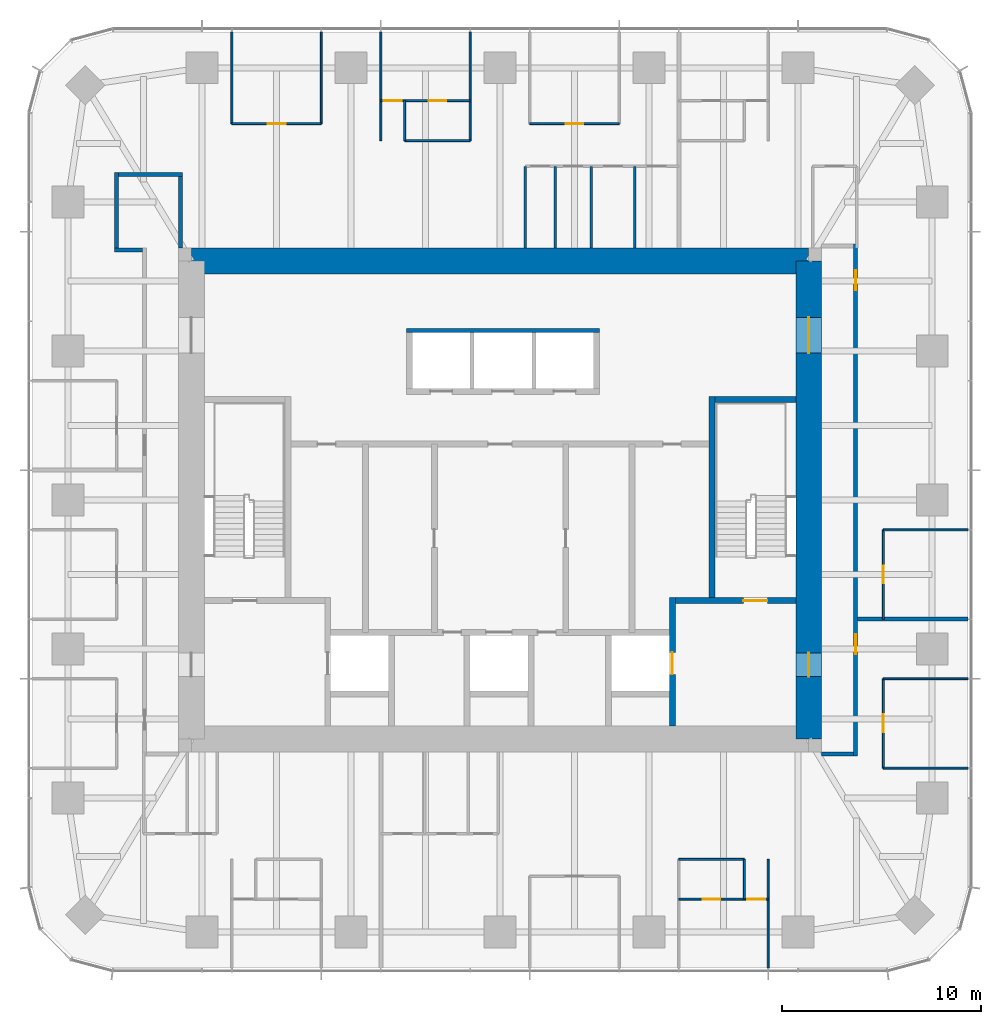
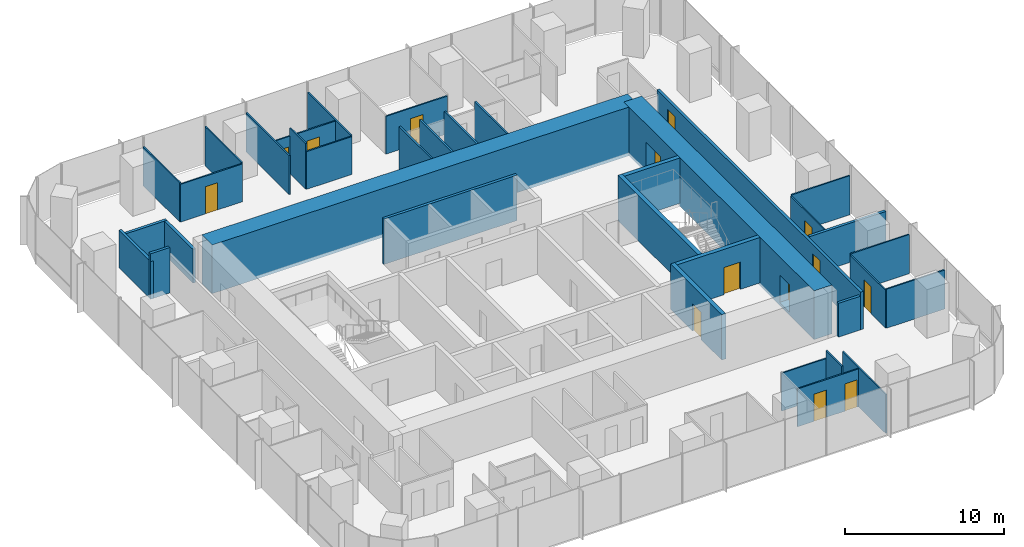
# One storey, part 10 of 12: 36 walls, 14 doors, 14 openings.
"""IFC4 building model written with IfcOpenShell, lengths in metres."""

from ifc_helpers import new_model, si_unit, direction, frame, frame_2d, origin, place, context, subcontext, project, spatial, rectangle, extrude, material, layer, layer_set, type_object, element, fill, save


model = new_model("IFC4")

# Units and contexts
model_context = context("Model", 3, precision=1e-05, world=origin(), true_north=direction((0.0, 1.0)))
body_context = subcontext(model_context, "Body", "Model", "MODEL_VIEW")
ifc_project = project(units=[si_unit("LENGTHUNIT", "METRE"), si_unit("AREAUNIT", "SQUARE_METRE"), si_unit("VOLUMEUNIT", "CUBIC_METRE"), si_unit("PLANEANGLEUNIT", "RADIAN"), si_unit("MASSUNIT", "GRAM", prefix="KILO")], contexts=[model_context])

# Site, building, storey
site_placement = place(None, origin())
site = spatial("IfcSite", under=ifc_project, at=site_placement, CompositionType="ELEMENT")
building_placement = place(site_placement, origin())
building = spatial("IfcBuilding", under=site, at=building_placement, Name="Khuree Lantern Residences", CompositionType="ELEMENT")
storey_placement = place(building_placement, frame((0.0, 0.0, 312.0)))
storey = spatial("IfcBuildingStorey", under=building, at=storey_placement, Name="L78", CompositionType="ELEMENT", Elevation=312.0)

# Walls
ifc_material_1 = material(Name="Moisture-resistant gypsum board on steel studs", Category="steel")
ifc_layer_1 = layer(ifc_material_1, 0.125)
ifc_layer_set_1 = layer_set([ifc_layer_1], Name="BATHROOM WALL BTW125")
wall_type_1 = type_object("IfcWallType", Name="BATHROOM WALL BTW125", PredefinedType="PARTITIONING", material=ifc_layer_set_1)
for number, where, z_axis, x_axis, name in (
    (1, (6.77587890625, 12.64990234375, 0.0), (0.0, 0.0, 1.0), (0.0, 1.0, 0.0), "L78 BATHROOM WALL 02"),
    (2, (4.575927734375, 12.64990234375, 0.0), (0.0, 0.0, 1.0), (0.0, 1.0, 0.0), "L78 BATHROOM WALL 02"),
    (3, (2.77587890625, 12.64990234375, 0.0), (0.0, 0.0, 1.0), (0.0, 1.0, 0.0), "L78 BATHROOM WALL 02"),
    (4, (1.27587890625, 12.64990234375, 0.0), (0.0, 0.0, 1.0), (0.0, 1.0, 0.0), "L78 BATHROOM WALL 02"),
):
    element("IfcWall", number, at=place(storey_placement, frame(where, z_axis=z_axis, x_axis=x_axis)), inside=storey, type_object=wall_type_1, Name=name, PredefinedType="PARTITIONING", context=body_context, shape_type="SweptSolid", body=[
        extrude(rectangle(XDim=4.096435546875, YDim=0.125, at=frame_2d((2.04833984375, 0.0))), origin(), (0.0, 0.0, 1.0), 3.5),
    ])

# Wall, opening, door
ifc_material_2 = material(Name="Dense concrete blockwork", Category="masonry")
ifc_layer_2 = layer(ifc_material_2, 0.300048828125)
ifc_layer_set_2 = layer_set([ifc_layer_2], Name="CORE PARTITION WALL CPW300 EI 120")
wall_type_2 = type_object("IfcWallType", Name="CORE PARTITION WALL CPW300 EI 120", PredefinedType="PARTITIONING", material=ifc_layer_set_2)
wall_1_placement = place(storey_placement, frame((8.64990234375, -11.35009765625, 0.0), z_axis=(0.0, 0.0, 1.0), x_axis=(0.0, 1.0, 0.0)))
wall_1 = element("IfcWall", 5, at=wall_1_placement, inside=storey, type_object=wall_type_2, Name="L78 CORE WALL FL2E", PredefinedType="PARTITIONING", context=body_context, shape_type="SweptSolid", body=[
    extrude(rectangle(XDim=6.4501953125, YDim=0.300048828125, at=frame_2d((3.22509765625, 0.0))), origin(), (0.0, 0.0, 1.0), 3.5),
])
opening_1_placement = place(wall_1_placement, frame((2.60009765625, 0.0, 0.0)))
opening_1 = element("IfcOpeningElement", 6, at=opening_1_placement, cuts=wall_1, Name="Opening 78-008", PredefinedType="OPENING", context=body_context, shape_type="SweptSolid", body=[
    extrude(rectangle(XDim=1.10009765625, YDim=2.10009765625, at=frame_2d((0.550048828125, 1.050048828125))), frame((0.0, 0.16015625, 0.0), z_axis=(0.0, -1.0, 0.0), x_axis=(1.0, 0.0, 0.0)), (0.0, 0.0, 1.0), 0.320068359375),
])
ifc_material_3 = material(Name="Stainless steel lift landing door", Category="steel")
door_type_1 = type_object("IfcDoorType", Name="LIFT LANDING DOOR 1100X2100 E 120", OperationType="DOUBLE_DOOR_SLIDING", PredefinedType="DOOR", material=ifc_material_3)
door_1_placement = place(opening_1_placement, origin())
door_1 = element("IfcDoor", 7, at=door_1_placement, inside=storey, type_object=door_type_1, Name="Landing door FL2 78-008", OperationType="DOUBLE_DOOR_SLIDING", OverallHeight=2.10009765625, OverallWidth=1.10009765625, PredefinedType="DOOR", context=body_context, shape_type="SweptSolid", body=[
    extrude(rectangle(XDim=1.10009765625, YDim=2.10009765625, at=frame_2d((0.550048828125, 1.050048828125))), frame((0.0, 0.02490234375, 0.0), z_axis=(0.0, -1.0, 0.0), x_axis=(1.0, 0.0, 0.0)), (0.0, 0.0, 1.0), 0.050048828125),
])
fill(opening_1, door_1)

# Walls
ifc_material_4 = material(Name="Gypsum board on steel studs", Category="steel")
ifc_layer_3 = layer(ifc_material_4, 0.199951171875)
ifc_layer_set_3 = layer_set([ifc_layer_3], Name="CORRIDOR WALL CRW200 EI 60")
wall_type_3 = type_object("IfcWallType", Name="CORRIDOR WALL CRW200 EI 60", PredefinedType="PARTITIONING", material=ifc_layer_set_3)
wall_2_placement = place(storey_placement, frame((-17.949951171875, 12.550048828125, 0.0), z_axis=(0.0, 0.0, 1.0), x_axis=(-1.0, 0.0, 0.0)))
element("IfcWall", 8, at=wall_2_placement, inside=storey, type_object=wall_type_3, Name="L78 RESIDENTS LOUNGE WALL", PredefinedType="PARTITIONING", context=body_context, shape_type="SweptSolid", body=[
    extrude(rectangle(XDim=1.400146484375, YDim=0.199951171875, at=frame_2d((0.7001953125, 0.0))), origin(), (0.0, 0.0, 1.0), 3.5),
])
wall_3_placement = place(storey_placement, frame((-19.25, 12.449951171875, 0.0), z_axis=(0.0, 0.0, 1.0), x_axis=(0.0, 1.0, 0.0)))
element("IfcWall", 9, at=wall_3_placement, inside=storey, type_object=wall_type_3, Name="L78 RESIDENTS LOUNGE WALL", PredefinedType="PARTITIONING", context=body_context, shape_type="SweptSolid", body=[
    extrude(rectangle(XDim=4.0, YDim=0.199951171875, at=frame_2d((2.0, 0.0))), origin(), (0.0, 0.0, 1.0), 2.89990234375),
])
wall_4_placement = place(storey_placement, frame((-19.14990234375, 16.35009765625, 0.0), z_axis=(0.0, 0.0, 1.0), x_axis=(1.0, 0.0, 0.0)))
element("IfcWall", 10, at=wall_4_placement, inside=storey, type_object=wall_type_3, Name="L78 RESIDENTS LOUNGE WALL", PredefinedType="PARTITIONING", context=body_context, shape_type="SweptSolid", body=[
    extrude(rectangle(XDim=3.199951171875, YDim=0.199951171875, at=frame_2d((1.60009765625, 0.0))), origin(), (0.0, 0.0, 1.0), 2.60009765625),
])
wall_5_placement = place(storey_placement, frame((-16.050048828125, 16.449951171875, 0.0), z_axis=(0.0, 0.0, 1.0), x_axis=(0.0, -1.0, 0.0)))
element("IfcWall", 11, at=wall_5_placement, inside=storey, type_object=wall_type_3, Name="L78 RESIDENTS LOUNGE WALL", PredefinedType="PARTITIONING", context=body_context, shape_type="SweptSolid", body=[
    extrude(rectangle(XDim=3.800048828125, YDim=0.199951171875, at=frame_2d((1.89990234375, 0.0))), origin(), (0.0, 0.0, 1.0), 2.60009765625),
])
wall_6_placement = place(storey_placement, frame((16.14990234375, -12.75, 0.0), z_axis=(0.0, 0.0, 1.0), x_axis=(1.0, 0.0, 0.0)))
element("IfcWall", 12, at=wall_6_placement, inside=storey, type_object=wall_type_3, Name="L78 EAST CORRIDOR SOUTH END WALL", PredefinedType="PARTITIONING", context=body_context, shape_type="SweptSolid", body=[
    extrude(rectangle(XDim=1.60009765625, YDim=0.199951171875, at=frame_2d((0.800048828125, 0.0))), origin(), (0.0, 0.0, 1.0), 2.60009765625),
])

# Wall, openings, doors
wall_7_placement = place(storey_placement, frame((17.85009765625, -12.85009765625, 0.0), z_axis=(0.0, 0.0, 1.0), x_axis=(0.0, 1.0, 0.0)))
wall_7 = element("IfcWall", 13, at=wall_7_placement, inside=storey, type_object=wall_type_3, Name="L78 CORRIDOR WALL EAST 1", PredefinedType="PARTITIONING", context=body_context, shape_type="SweptSolid", body=[
    extrude(rectangle(XDim=25.7001953125, YDim=0.199951171875, at=frame_2d((12.85009765625, 0.0))), origin(), (0.0, 0.0, 1.0), 2.89990234375),
])
opening_2_placement = place(wall_7_placement, frame((23.385986328125, 0.0, 0.0)))
opening_2 = element("IfcOpeningElement", 14, at=opening_2_placement, cuts=wall_7, Name="Opening 78-024", PredefinedType="OPENING", context=body_context, shape_type="SweptSolid", body=[
    extrude(rectangle(XDim=1.0, YDim=2.199951171875, at=frame_2d((0.5, 1.10009765625))), frame((0.0, 0.10986328125, 0.0), z_axis=(0.0, -1.0, 0.0), x_axis=(1.0, 0.0, 0.0)), (0.0, 0.0, 1.0), 0.219970703125),
])
opening_3_placement = place(wall_7_placement, frame((5.10009765625, 0.0, 0.0)))
opening_3 = element("IfcOpeningElement", 15, at=opening_3_placement, cuts=wall_7, Name="Opening 78-049", PredefinedType="OPENING", context=body_context, shape_type="SweptSolid", body=[
    extrude(rectangle(XDim=1.0, YDim=2.199951171875, at=frame_2d((0.5, 1.10009765625))), frame((0.0, 0.10986328125, 0.0), z_axis=(0.0, -1.0, 0.0), x_axis=(1.0, 0.0, 0.0)), (0.0, 0.0, 1.0), 0.219970703125),
])
ifc_material_5 = material(Name="Timber door leaf in hardwood frame", Category="wood")
door_type_2 = type_object("IfcDoorType", Name="APARTMENT ENTRANCE DOOR 1000X2200 EI 30S", OperationType="SINGLE_SWING_LEFT", PredefinedType="DOOR", material=ifc_material_5)
door_2_placement = place(opening_3_placement, origin())
door_2 = element("IfcDoor", 16, at=door_2_placement, inside=storey, type_object=door_type_2, Name="Apartment 04 entrance door 78-049", OperationType="SINGLE_SWING_LEFT", OverallHeight=2.199951171875, OverallWidth=1.0, PredefinedType="DOOR", context=body_context, shape_type="SweptSolid", body=[
    extrude(rectangle(XDim=1.0, YDim=2.199951171875, at=frame_2d((0.5, 1.10009765625))), frame((0.0, 0.02490234375, 0.0), z_axis=(0.0, -1.0, 0.0), x_axis=(1.0, 0.0, 0.0)), (0.0, 0.0, 1.0), 0.050048828125),
])
fill(opening_3, door_2)
door_type_3 = type_object("IfcDoorType", Name="APARTMENT ENTRANCE DOOR 1000X2200 EI 30S RIGHT HAND", OperationType="SINGLE_SWING_RIGHT", PredefinedType="DOOR", material=ifc_material_5)
door_3_placement = place(opening_2_placement, origin())
door_3 = element("IfcDoor", 17, at=door_3_placement, inside=storey, type_object=door_type_3, Name="Apartment 01 entrance door 78-024", OperationType="SINGLE_SWING_RIGHT", OverallHeight=2.199951171875, OverallWidth=1.0, PredefinedType="DOOR", context=body_context, shape_type="SweptSolid", body=[
    extrude(rectangle(XDim=1.0, YDim=2.199951171875, at=frame_2d((0.5, 1.10009765625))), frame((0.0, 0.02490234375, 0.0), z_axis=(0.0, -1.0, 0.0), x_axis=(1.0, 0.0, 0.0)), (0.0, 0.0, 1.0), 0.050048828125),
])
fill(opening_2, door_3)

ifc_material_6 = material(Name="Concrete C50/60", Category="concrete")
ifc_layer_4 = layer(ifc_material_6, 1.300048828125)
ifc_layer_set_4 = layer_set([ifc_layer_4], Name="CW1300-C50 CORE WALL C50 1300")
wall_type_4 = type_object("IfcWallType", Name="CW1300-C50 CORE WALL C50 1300", PredefinedType="SHEAR", material=ifc_layer_set_4)
wall_8_placement = place(storey_placement, frame((15.5, -12.0, -0.25), z_axis=(0.0, 0.0, 1.0), x_axis=(0.0, 1.0, 0.0)))
wall_8 = element("IfcWall", 18, at=wall_8_placement, inside=storey, type_object=wall_type_4, Name="Core wall E", PredefinedType="SHEAR", context=body_context, shape_type="SweptSolid", body=[
    extrude(rectangle(XDim=24.0, YDim=1.300048828125, at=frame_2d((12.0, 0.0))), origin(), (0.0, 0.0, 1.0), 3.75),
])
opening_4_placement = place(wall_8_placement, frame((3.125, 0.0, 0.25)))
opening_4 = element("IfcOpeningElement", 19, at=opening_4_placement, cuts=wall_8, Name="Opening 78-005", PredefinedType="OPENING", context=body_context, shape_type="SweptSolid", body=[
    extrude(rectangle(XDim=1.199951171875, YDim=2.10009765625, at=frame_2d((0.60009765625, 1.050048828125))), frame((0.0, 0.66015625, 0.0), z_axis=(0.0, -1.0, 0.0), x_axis=(1.0, 0.0, 0.0)), (0.0, 0.0, 1.0), 1.320068359375),
])
opening_5_placement = place(wall_8_placement, frame((19.375, 0.0, 0.25)))
opening_5 = element("IfcOpeningElement", 20, at=opening_5_placement, cuts=wall_8, Name="Opening 78-006", PredefinedType="OPENING", context=body_context, shape_type="SweptSolid", body=[
    extrude(rectangle(XDim=1.800048828125, YDim=2.10009765625, at=frame_2d((0.89990234375, 1.050048828125))), frame((0.0, 0.66015625, 0.0), z_axis=(0.0, -1.0, 0.0), x_axis=(1.0, 0.0, 0.0)), (0.0, 0.0, 1.0), 1.320068359375),
])
ifc_material_7 = material(Name="Steel door leaf in steel frame", Category="steel")
door_type_4 = type_object("IfcDoorType", Name="LOBBY DOOR 1200X2100 EI 120", OperationType="SINGLE_SWING_LEFT", PredefinedType="DOOR", material=ifc_material_7)
door_4_placement = place(opening_4_placement, origin())
door_4 = element("IfcDoor", 21, at=door_4_placement, inside=storey, type_object=door_type_4, Name="Firefighting lobby door 78-005", OperationType="SINGLE_SWING_LEFT", OverallHeight=2.10009765625, OverallWidth=1.199951171875, PredefinedType="DOOR", context=body_context, shape_type="SweptSolid", body=[
    extrude(rectangle(XDim=1.199951171875, YDim=2.10009765625, at=frame_2d((0.60009765625, 1.050048828125))), frame((0.0, 0.02490234375, 0.0), z_axis=(0.0, -1.0, 0.0), x_axis=(1.0, 0.0, 0.0)), (0.0, 0.0, 1.0), 0.050048828125),
])
fill(opening_4, door_4)
door_type_5 = type_object("IfcDoorType", Name="LOBBY DOUBLE DOOR 1800X2100 EI 60", OperationType="DOUBLE_DOOR_SINGLE_SWING", PredefinedType="DOOR", material=ifc_material_7)
door_5_placement = place(opening_5_placement, origin())
door_5 = element("IfcDoor", 22, at=door_5_placement, inside=storey, type_object=door_type_5, Name="Lift lobby door 78-006", OperationType="DOUBLE_DOOR_SINGLE_SWING", OverallHeight=2.10009765625, OverallWidth=1.800048828125, PredefinedType="DOOR", context=body_context, shape_type="SweptSolid", body=[
    extrude(rectangle(XDim=1.800048828125, YDim=2.10009765625, at=frame_2d((0.89990234375, 1.050048828125))), frame((0.0, 0.02490234375, 0.0), z_axis=(0.0, -1.0, 0.0), x_axis=(1.0, 0.0, 0.0)), (0.0, 0.0, 1.0), 0.050048828125),
])
fill(opening_5, door_5)

# Walls
wall_9_placement = place(storey_placement, frame((-15.5, 12.0, -0.25), z_axis=(0.0, 0.0, 1.0), x_axis=(1.0, 0.0, 0.0)))
element("IfcWall", 23, at=wall_9_placement, inside=storey, type_object=wall_type_4, Name="Core wall N", PredefinedType="SHEAR", context=body_context, shape_type="SweptSolid", body=[
    extrude(rectangle(XDim=31.0, YDim=1.300048828125, at=frame_2d((15.5, 0.0))), origin(), (0.0, 0.0, 1.0), 3.75),
])
ifc_layer_5 = layer(ifc_material_4, 0.199951171875)
ifc_layer_set_5 = layer_set([ifc_layer_5], Name="DEMISING WALL DMW200 EI 90")
wall_type_5 = type_object("IfcWallType", Name="DEMISING WALL DMW200 EI 90", PredefinedType="PARTITIONING", material=ifc_layer_set_5)
wall_10_placement = place(storey_placement, frame((17.949951171875, -5.98388671875, 0.0), z_axis=(0.0, 0.0, 1.0), x_axis=(1.0, 0.0, 0.0)))
element("IfcWall", 24, at=wall_10_placement, inside=storey, type_object=wall_type_5, Name="L78 DEMISING WALL 01", PredefinedType="PARTITIONING", context=body_context, shape_type="SweptSolid", body=[
    extrude(rectangle(XDim=5.550048828125, YDim=0.199951171875, at=frame_2d((2.77490234375, 0.0))), origin(), (0.0, 0.0, 1.0), 3.010009765625),
])
ifc_layer_6 = layer(ifc_material_4, 0.10009765625)
ifc_layer_set_6 = layer_set([ifc_layer_6], Name="PARTITION PT100")
wall_type_6 = type_object("IfcWallType", Name="PARTITION PT100", PredefinedType="PARTITIONING", material=ifc_layer_set_6)
wall_11_placement = place(storey_placement, frame((19.25, -1.49609375, 0.0), z_axis=(0.0, 0.0, 1.0), x_axis=(1.0, 0.0, 0.0)))
element("IfcWall", 25, at=wall_11_placement, inside=storey, type_object=wall_type_6, Name="L78 PARTITION 01", PredefinedType="PARTITIONING", context=body_context, shape_type="SweptSolid", body=[
    extrude(rectangle(XDim=4.25, YDim=0.10009765625, at=frame_2d((2.125, 0.0))), origin(), (0.0, 0.0, 1.0), 3.010009765625),
])
for number, where, z_axis, x_axis, name in (
    (26, (-1.49609375, 18.04638671875, 0.0), (0.0, 0.0, 1.0), (0.0, 1.0, 0.0), "L78 PARTITION 02"),
    (27, (-5.98388671875, 18.04638671875, 0.0), (0.0, 0.0, 1.0), (0.0, 1.0, 0.0), "L78 PARTITION 02"),
):
    element("IfcWall", number, at=place(storey_placement, frame(where, z_axis=z_axis, x_axis=x_axis)), inside=storey, type_object=wall_type_6, Name=name, PredefinedType="PARTITIONING", context=body_context, shape_type="SweptSolid", body=[
        extrude(rectangle(XDim=5.45361328125, YDim=0.10009765625, at=frame_2d((2.726806640625, 0.0))), origin(), (0.0, 0.0, 1.0), 3.010009765625),
    ])
for number, where, z_axis, x_axis, name in (
    (28, (-8.97607421875, 18.89990234375, 0.0), (0.0, 0.0, 1.0), (0.0, 1.0, 0.0), "L78 PARTITION 02"),
    (29, (-13.464111328125, 18.89990234375, 0.0), (0.0, 0.0, 1.0), (0.0, 1.0, 0.0), "L78 PARTITION 02"),
):
    element("IfcWall", number, at=place(storey_placement, frame(where, z_axis=z_axis, x_axis=x_axis)), inside=storey, type_object=wall_type_6, Name=name, PredefinedType="PARTITIONING", context=body_context, shape_type="SweptSolid", body=[
        extrude(rectangle(XDim=4.60009765625, YDim=0.10009765625, at=frame_2d((2.300048828125, 0.0))), origin(), (0.0, 0.0, 1.0), 3.010009765625),
    ])
wall_12_placement = place(storey_placement, frame((13.464111328125, -18.04638671875, 0.0), z_axis=(0.0, 0.0, 1.0), x_axis=(0.0, -1.0, 0.0)))
element("IfcWall", 30, at=wall_12_placement, inside=storey, type_object=wall_type_6, Name="L78 PARTITION 04", PredefinedType="PARTITIONING", context=body_context, shape_type="SweptSolid", body=[
    extrude(rectangle(XDim=5.45361328125, YDim=0.10009765625, at=frame_2d((2.726806640625, 0.0))), origin(), (0.0, 0.0, 1.0), 3.010009765625),
])
for number, where, z_axis, x_axis, name in (
    (31, (19.25, -13.464111328125, 0.0), (0.0, 0.0, 1.0), (1.0, 0.0, 0.0), "L78 PARTITION 04"),
    (32, (19.25, -8.97607421875, 0.0), (0.0, 0.0, 1.0), (1.0, 0.0, 0.0), "L78 PARTITION 04"),
):
    element("IfcWall", number, at=place(storey_placement, frame(where, z_axis=z_axis, x_axis=x_axis)), inside=storey, type_object=wall_type_6, Name=name, PredefinedType="PARTITIONING", context=body_context, shape_type="SweptSolid", body=[
        extrude(rectangle(XDim=4.25, YDim=0.10009765625, at=frame_2d((2.125, 0.0))), origin(), (0.0, 0.0, 1.0), 3.010009765625),
    ])

# Wall, opening, door
wall_13_placement = place(storey_placement, frame((19.25, -5.98388671875, 0.0), z_axis=(0.0, 0.0, 1.0), x_axis=(0.0, 1.0, 0.0)))
wall_13 = element("IfcWall", 33, at=wall_13_placement, inside=storey, type_object=wall_type_6, Name="L78 PARTITION 01", PredefinedType="PARTITIONING", context=body_context, shape_type="SweptSolid", body=[
    extrude(rectangle(XDim=4.48779296875, YDim=0.10009765625, at=frame_2d((2.243896484375, 0.0))), origin(), (0.0, 0.0, 1.0), 2.909912109375),
])
opening_6_placement = place(wall_13_placement, frame((1.7939453125, 0.0, 0.0)))
opening_6 = element("IfcOpeningElement", 34, at=opening_6_placement, cuts=wall_13, Name="Opening 78-020", PredefinedType="OPENING", context=body_context, shape_type="SweptSolid", body=[
    extrude(rectangle(XDim=0.89990234375, YDim=2.10009765625, at=frame_2d((0.449951171875, 1.050048828125))), frame((0.0, 0.06005859375, 0.0), z_axis=(0.0, -1.0, 0.0), x_axis=(1.0, 0.0, 0.0)), (0.0, 0.0, 1.0), 0.1201171875),
])
door_type_6 = type_object("IfcDoorType", Name="BEDROOM DOOR 900X2100", OperationType="SINGLE_SWING_LEFT", PredefinedType="DOOR", material=ifc_material_5)
door_6_placement = place(opening_6_placement, origin())
door_6 = element("IfcDoor", 35, at=door_6_placement, inside=storey, type_object=door_type_6, Name="Bedroom door 78-020", OperationType="SINGLE_SWING_LEFT", OverallHeight=2.10009765625, OverallWidth=0.89990234375, PredefinedType="DOOR", context=body_context, shape_type="SweptSolid", body=[
    extrude(rectangle(XDim=0.89990234375, YDim=2.10009765625, at=frame_2d((0.449951171875, 1.050048828125))), frame((0.0, 0.02490234375, 0.0), z_axis=(0.0, -1.0, 0.0), x_axis=(1.0, 0.0, 0.0)), (0.0, 0.0, 1.0), 0.050048828125),
])
fill(opening_6, door_6)

wall_14_placement = place(storey_placement, frame((5.98388671875, 18.89990234375, 0.0), z_axis=(0.0, 0.0, 1.0), x_axis=(-1.0, 0.0, 0.0)))
wall_14 = element("IfcWall", 36, at=wall_14_placement, inside=storey, type_object=wall_type_6, Name="L78 PARTITION 02", PredefinedType="PARTITIONING", context=body_context, shape_type="SweptSolid", body=[
    extrude(rectangle(XDim=4.48779296875, YDim=0.10009765625, at=frame_2d((2.243896484375, 0.0))), origin(), (0.0, 0.0, 1.0), 2.909912109375),
])
opening_7_placement = place(wall_14_placement, frame((1.7939453125, 0.0, 0.0)))
opening_7 = element("IfcOpeningElement", 37, at=opening_7_placement, cuts=wall_14, Name="Opening 78-025", PredefinedType="OPENING", context=body_context, shape_type="SweptSolid", body=[
    extrude(rectangle(XDim=0.89990234375, YDim=2.10009765625, at=frame_2d((0.449951171875, 1.050048828125))), frame((0.0, 0.06005859375, 0.0), z_axis=(0.0, -1.0, 0.0), x_axis=(1.0, 0.0, 0.0)), (0.0, 0.0, 1.0), 0.1201171875),
])
door_7_placement = place(opening_7_placement, origin())
door_7 = element("IfcDoor", 38, at=door_7_placement, inside=storey, type_object=door_type_6, Name="Bedroom door 78-025", OperationType="SINGLE_SWING_LEFT", OverallHeight=2.10009765625, OverallWidth=0.89990234375, PredefinedType="DOOR", context=body_context, shape_type="SweptSolid", body=[
    extrude(rectangle(XDim=0.89990234375, YDim=2.10009765625, at=frame_2d((0.449951171875, 1.050048828125))), frame((0.0, 0.02490234375, 0.0), z_axis=(0.0, -1.0, 0.0), x_axis=(1.0, 0.0, 0.0)), (0.0, 0.0, 1.0), 0.050048828125),
])
fill(opening_7, door_7)

# Wall, openings, doors
wall_15_placement = place(storey_placement, frame((-1.49609375, 20.04638671875, 0.0), z_axis=(0.0, 0.0, 1.0), x_axis=(-1.0, 0.0, 0.0)))
wall_15 = element("IfcWall", 39, at=wall_15_placement, inside=storey, type_object=wall_type_6, Name="L78 PARTITION 02", PredefinedType="PARTITIONING", context=body_context, shape_type="SweptSolid", body=[
    extrude(rectangle(XDim=4.48779296875, YDim=0.10009765625, at=frame_2d((2.243896484375, 0.0))), origin(), (0.0, 0.0, 1.0), 2.909912109375),
])
opening_8_placement = place(wall_15_placement, frame((3.43798828125, 0.0, 0.0)))
opening_8 = element("IfcOpeningElement", 40, at=opening_8_placement, cuts=wall_15, Name="Opening 78-026", PredefinedType="OPENING", context=body_context, shape_type="SweptSolid", body=[
    extrude(rectangle(XDim=0.89990234375, YDim=2.10009765625, at=frame_2d((0.449951171875, 1.050048828125))), frame((0.0, 0.06005859375, 0.0), z_axis=(0.0, -1.0, 0.0), x_axis=(1.0, 0.0, 0.0)), (0.0, 0.0, 1.0), 0.1201171875),
])
opening_9_placement = place(wall_15_placement, frame((1.194091796875, 0.0, 0.0)))
opening_9 = element("IfcOpeningElement", 41, at=opening_9_placement, cuts=wall_15, Name="Opening 78-027", PredefinedType="OPENING", context=body_context, shape_type="SweptSolid", body=[
    extrude(rectangle(XDim=0.89990234375, YDim=2.10009765625, at=frame_2d((0.449951171875, 1.050048828125))), frame((0.0, 0.06005859375, 0.0), z_axis=(0.0, -1.0, 0.0), x_axis=(1.0, 0.0, 0.0)), (0.0, 0.0, 1.0), 0.1201171875),
])
door_8_placement = place(opening_8_placement, origin())
door_8 = element("IfcDoor", 42, at=door_8_placement, inside=storey, type_object=door_type_6, Name="Bedroom door 78-026", OperationType="SINGLE_SWING_LEFT", OverallHeight=2.10009765625, OverallWidth=0.89990234375, PredefinedType="DOOR", context=body_context, shape_type="SweptSolid", body=[
    extrude(rectangle(XDim=0.89990234375, YDim=2.10009765625, at=frame_2d((0.449951171875, 1.050048828125))), frame((0.0, 0.02490234375, 0.0), z_axis=(0.0, -1.0, 0.0), x_axis=(1.0, 0.0, 0.0)), (0.0, 0.0, 1.0), 0.050048828125),
])
fill(opening_8, door_8)
door_type_7 = type_object("IfcDoorType", Name="DOOR 900X2100", OperationType="SINGLE_SWING_LEFT", PredefinedType="DOOR", material=ifc_material_5)
door_9_placement = place(opening_9_placement, origin())
door_9 = element("IfcDoor", 43, at=door_9_placement, inside=storey, type_object=door_type_7, Name="Wardrobe door 78-027", OperationType="SINGLE_SWING_LEFT", OverallHeight=2.10009765625, OverallWidth=0.89990234375, PredefinedType="DOOR", context=body_context, shape_type="SweptSolid", body=[
    extrude(rectangle(XDim=0.89990234375, YDim=2.10009765625, at=frame_2d((0.449951171875, 1.050048828125))), frame((0.0, 0.02490234375, 0.0), z_axis=(0.0, -1.0, 0.0), x_axis=(1.0, 0.0, 0.0)), (0.0, 0.0, 1.0), 0.050048828125),
])
fill(opening_9, door_9)

# Walls
wall_16_placement = place(storey_placement, frame((-4.783935546875, 18.04638671875, 0.0), z_axis=(0.0, 0.0, 1.0), x_axis=(0.0, 1.0, 0.0)))
element("IfcWall", 44, at=wall_16_placement, inside=storey, type_object=wall_type_6, Name="L78 PARTITION 02", PredefinedType="PARTITIONING", context=body_context, shape_type="SweptSolid", body=[
    extrude(rectangle(XDim=2.0, YDim=0.10009765625, at=frame_2d((1.0, 0.0))), origin(), (0.0, 0.0, 1.0), 3.5),
])
wall_17_placement = place(storey_placement, frame((-1.49609375, 18.04638671875, 0.0), z_axis=(0.0, 0.0, 1.0), x_axis=(-1.0, 0.0, 0.0)))
element("IfcWall", 45, at=wall_17_placement, inside=storey, type_object=wall_type_6, Name="L78 PARTITION 02", PredefinedType="PARTITIONING", context=body_context, shape_type="SweptSolid", body=[
    extrude(rectangle(XDim=3.287841796875, YDim=0.10009765625, at=frame_2d((1.64404296875, 0.0))), origin(), (0.0, 0.0, 1.0), 2.909912109375),
])

# Wall, opening, door
wall_18_placement = place(storey_placement, frame((-8.97607421875, 18.89990234375, 0.0), z_axis=(0.0, 0.0, 1.0), x_axis=(-1.0, 0.0, 0.0)))
wall_18 = element("IfcWall", 46, at=wall_18_placement, inside=storey, type_object=wall_type_6, Name="L78 PARTITION 02", PredefinedType="PARTITIONING", context=body_context, shape_type="SweptSolid", body=[
    extrude(rectangle(XDim=4.488037109375, YDim=0.10009765625, at=frame_2d((2.244140625, 0.0))), origin(), (0.0, 0.0, 1.0), 2.909912109375),
])
opening_10_placement = place(wall_18_placement, frame((1.7939453125, 0.0, 0.0)))
opening_10 = element("IfcOpeningElement", 47, at=opening_10_placement, cuts=wall_18, Name="Opening 78-028", PredefinedType="OPENING", context=body_context, shape_type="SweptSolid", body=[
    extrude(rectangle(XDim=0.89990234375, YDim=2.10009765625, at=frame_2d((0.449951171875, 1.050048828125))), frame((0.0, 0.06005859375, 0.0), z_axis=(0.0, -1.0, 0.0), x_axis=(1.0, 0.0, 0.0)), (0.0, 0.0, 1.0), 0.1201171875),
])
door_10_placement = place(opening_10_placement, origin())
door_10 = element("IfcDoor", 48, at=door_10_placement, inside=storey, type_object=door_type_6, Name="Bedroom door 78-028", OperationType="SINGLE_SWING_LEFT", OverallHeight=2.10009765625, OverallWidth=0.89990234375, PredefinedType="DOOR", context=body_context, shape_type="SweptSolid", body=[
    extrude(rectangle(XDim=0.89990234375, YDim=2.10009765625, at=frame_2d((0.449951171875, 1.050048828125))), frame((0.0, 0.02490234375, 0.0), z_axis=(0.0, -1.0, 0.0), x_axis=(1.0, 0.0, 0.0)), (0.0, 0.0, 1.0), 0.050048828125),
])
fill(opening_10, door_10)

# Wall, openings, doors
wall_19_placement = place(storey_placement, frame((8.97607421875, -20.04638671875, 0.0), z_axis=(0.0, 0.0, 1.0), x_axis=(1.0, 0.0, 0.0)))
wall_19 = element("IfcWall", 49, at=wall_19_placement, inside=storey, type_object=wall_type_6, Name="L78 PARTITION 04", PredefinedType="PARTITIONING", context=body_context, shape_type="SweptSolid", body=[
    extrude(rectangle(XDim=4.488037109375, YDim=0.10009765625, at=frame_2d((2.244140625, 0.0))), origin(), (0.0, 0.0, 1.0), 2.909912109375),
])
opening_11_placement = place(wall_19_placement, frame((3.43798828125, 0.0, 0.0)))
opening_11 = element("IfcOpeningElement", 50, at=opening_11_placement, cuts=wall_19, Name="Opening 78-043", PredefinedType="OPENING", context=body_context, shape_type="SweptSolid", body=[
    extrude(rectangle(XDim=0.89990234375, YDim=2.10009765625, at=frame_2d((0.449951171875, 1.050048828125))), frame((0.0, 0.06005859375, 0.0), z_axis=(0.0, -1.0, 0.0), x_axis=(1.0, 0.0, 0.0)), (0.0, 0.0, 1.0), 0.1201171875),
])
opening_12_placement = place(wall_19_placement, frame((1.194091796875, 0.0, 0.0)))
opening_12 = element("IfcOpeningElement", 51, at=opening_12_placement, cuts=wall_19, Name="Opening 78-044", PredefinedType="OPENING", context=body_context, shape_type="SweptSolid", body=[
    extrude(rectangle(XDim=0.89990234375, YDim=2.10009765625, at=frame_2d((0.449951171875, 1.050048828125))), frame((0.0, 0.06005859375, 0.0), z_axis=(0.0, -1.0, 0.0), x_axis=(1.0, 0.0, 0.0)), (0.0, 0.0, 1.0), 0.1201171875),
])
door_11_placement = place(opening_11_placement, origin())
door_11 = element("IfcDoor", 52, at=door_11_placement, inside=storey, type_object=door_type_6, Name="Bedroom door 78-043", OperationType="SINGLE_SWING_LEFT", OverallHeight=2.10009765625, OverallWidth=0.89990234375, PredefinedType="DOOR", context=body_context, shape_type="SweptSolid", body=[
    extrude(rectangle(XDim=0.89990234375, YDim=2.10009765625, at=frame_2d((0.449951171875, 1.050048828125))), frame((0.0, 0.02490234375, 0.0), z_axis=(0.0, -1.0, 0.0), x_axis=(1.0, 0.0, 0.0)), (0.0, 0.0, 1.0), 0.050048828125),
])
fill(opening_11, door_11)
door_12_placement = place(opening_12_placement, origin())
door_12 = element("IfcDoor", 53, at=door_12_placement, inside=storey, type_object=door_type_7, Name="Wardrobe door 78-044", OperationType="SINGLE_SWING_LEFT", OverallHeight=2.10009765625, OverallWidth=0.89990234375, PredefinedType="DOOR", context=body_context, shape_type="SweptSolid", body=[
    extrude(rectangle(XDim=0.89990234375, YDim=2.10009765625, at=frame_2d((0.449951171875, 1.050048828125))), frame((0.0, 0.02490234375, 0.0), z_axis=(0.0, -1.0, 0.0), x_axis=(1.0, 0.0, 0.0)), (0.0, 0.0, 1.0), 0.050048828125),
])
fill(opening_12, door_12)

# Walls
wall_20_placement = place(storey_placement, frame((12.263916015625, -18.04638671875, 0.0), z_axis=(0.0, 0.0, 1.0), x_axis=(0.0, -1.0, 0.0)))
element("IfcWall", 54, at=wall_20_placement, inside=storey, type_object=wall_type_6, Name="L78 PARTITION 04", PredefinedType="PARTITIONING", context=body_context, shape_type="SweptSolid", body=[
    extrude(rectangle(XDim=2.0, YDim=0.10009765625, at=frame_2d((1.0, 0.0))), origin(), (0.0, 0.0, 1.0), 3.5),
])
wall_21_placement = place(storey_placement, frame((8.97607421875, -18.04638671875, 0.0), z_axis=(0.0, 0.0, 1.0), x_axis=(1.0, 0.0, 0.0)))
element("IfcWall", 55, at=wall_21_placement, inside=storey, type_object=wall_type_6, Name="L78 PARTITION 04", PredefinedType="PARTITIONING", context=body_context, shape_type="SweptSolid", body=[
    extrude(rectangle(XDim=3.287841796875, YDim=0.10009765625, at=frame_2d((1.64404296875, 0.0))), origin(), (0.0, 0.0, 1.0), 2.909912109375),
])

# Wall, opening, door
wall_22_placement = place(storey_placement, frame((19.25, -13.464111328125, 0.0), z_axis=(0.0, 0.0, 1.0), x_axis=(0.0, 1.0, 0.0)))
wall_22 = element("IfcWall", 56, at=wall_22_placement, inside=storey, type_object=wall_type_6, Name="L78 PARTITION 04", PredefinedType="PARTITIONING", context=body_context, shape_type="SweptSolid", body=[
    extrude(rectangle(XDim=4.488037109375, YDim=0.10009765625, at=frame_2d((2.244140625, 0.0))), origin(), (0.0, 0.0, 1.0), 2.909912109375),
])
opening_13_placement = place(wall_22_placement, frame((1.7939453125, 0.0, 0.0)))
opening_13 = element("IfcOpeningElement", 57, at=opening_13_placement, cuts=wall_22, Name="Opening 78-045", PredefinedType="OPENING", context=body_context, shape_type="SweptSolid", body=[
    extrude(rectangle(XDim=0.89990234375, YDim=2.10009765625, at=frame_2d((0.449951171875, 1.050048828125))), frame((0.0, 0.06005859375, 0.0), z_axis=(0.0, -1.0, 0.0), x_axis=(1.0, 0.0, 0.0)), (0.0, 0.0, 1.0), 0.1201171875),
])
door_13_placement = place(opening_13_placement, origin())
door_13 = element("IfcDoor", 58, at=door_13_placement, inside=storey, type_object=door_type_6, Name="Bedroom door 78-045", OperationType="SINGLE_SWING_LEFT", OverallHeight=2.10009765625, OverallWidth=0.89990234375, PredefinedType="DOOR", context=body_context, shape_type="SweptSolid", body=[
    extrude(rectangle(XDim=0.89990234375, YDim=2.10009765625, at=frame_2d((0.449951171875, 1.050048828125))), frame((0.0, 0.02490234375, 0.0), z_axis=(0.0, -1.0, 0.0), x_axis=(1.0, 0.0, 0.0)), (0.0, 0.0, 1.0), 0.050048828125),
])
fill(opening_13, door_13)

# Walls
ifc_layer_7 = layer(ifc_material_2, 0.199951171875)
ifc_layer_set_7 = layer_set([ifc_layer_7], Name="SHAFT WALL SHW200 EI 120")
wall_type_7 = type_object("IfcWallType", Name="SHAFT WALL SHW200 EI 120", PredefinedType="PARTITIONING", material=ifc_layer_set_7)
wall_23_placement = place(storey_placement, frame((-4.699951171875, 8.5, 0.0), z_axis=(0.0, 0.0, 1.0), x_axis=(1.0, 0.0, 0.0)))
element("IfcWall", 59, at=wall_23_placement, inside=storey, type_object=wall_type_7, Name="L78 CORE WALL PHN", PredefinedType="PARTITIONING", context=body_context, shape_type="SweptSolid", body=[
    extrude(rectangle(XDim=9.699951171875, YDim=0.199951171875, at=frame_2d((4.85009765625, 0.0))), origin(), (0.0, 0.0, 1.0), 3.5),
])
ifc_layer_8 = layer(ifc_material_6, 0.300048828125)
ifc_layer_set_8 = layer_set([ifc_layer_8], Name="STAIR WALL SRW300 C50/60 REI 240")
wall_type_8 = type_object("IfcWallType", Name="STAIR WALL SRW300 C50/60 REI 240", PredefinedType="SOLIDWALL", material=ifc_layer_set_8)
wall_24_placement = place(storey_placement, frame((10.64990234375, -4.89990234375, 0.0), z_axis=(0.0, 0.0, 1.0), x_axis=(0.0, 1.0, 0.0)))
element("IfcWall", 60, at=wall_24_placement, inside=storey, type_object=wall_type_8, Name="L78 STAIR WALL ST2E", PredefinedType="SOLIDWALL", context=body_context, shape_type="SweptSolid", body=[
    extrude(rectangle(XDim=10.099853515625, YDim=0.300048828125, at=frame_2d((5.0498046875, 0.0))), origin(), (0.0, 0.0, 1.0), 3.5),
])

# Wall, opening, door
wall_25_placement = place(storey_placement, frame((14.85009765625, -5.050048828125, 0.0), z_axis=(0.0, 0.0, 1.0), x_axis=(-1.0, 0.0, 0.0)))
wall_25 = element("IfcWall", 61, at=wall_25_placement, inside=storey, type_object=wall_type_8, Name="L78 STAIR WALL ST2S", PredefinedType="SOLIDWALL", context=body_context, shape_type="SweptSolid", body=[
    extrude(rectangle(XDim=6.050048828125, YDim=0.300048828125, at=frame_2d((3.02490234375, 0.0))), origin(), (0.0, 0.0, 1.0), 3.5),
])
opening_14_placement = place(wall_25_placement, frame((1.425048828125, 0.0, 0.0)))
opening_14 = element("IfcOpeningElement", 62, at=opening_14_placement, cuts=wall_25, Name="Opening 78-004", PredefinedType="OPENING", context=body_context, shape_type="SweptSolid", body=[
    extrude(rectangle(XDim=1.199951171875, YDim=2.10009765625, at=frame_2d((0.60009765625, 1.050048828125))), frame((0.0, 0.16015625, 0.0), z_axis=(0.0, -1.0, 0.0), x_axis=(1.0, 0.0, 0.0)), (0.0, 0.0, 1.0), 0.320068359375),
])
door_type_8 = type_object("IfcDoorType", Name="STAIR DOOR 1200X2100 EI 120", OperationType="SINGLE_SWING_LEFT", PredefinedType="DOOR", material=ifc_material_7)
door_14_placement = place(opening_14_placement, origin())
door_14 = element("IfcDoor", 63, at=door_14_placement, inside=storey, type_object=door_type_8, Name="Stair ST2 door 78-004", OperationType="SINGLE_SWING_LEFT", OverallHeight=2.10009765625, OverallWidth=1.199951171875, PredefinedType="DOOR", context=body_context, shape_type="SweptSolid", body=[
    extrude(rectangle(XDim=1.199951171875, YDim=2.10009765625, at=frame_2d((0.60009765625, 1.050048828125))), frame((0.0, 0.02490234375, 0.0), z_axis=(0.0, -1.0, 0.0), x_axis=(1.0, 0.0, 0.0)), (0.0, 0.0, 1.0), 0.050048828125),
])
fill(opening_14, door_14)

# Wall
wall_26_placement = place(storey_placement, frame((14.85009765625, 5.050048828125, 0.0), z_axis=(0.0, 0.0, 1.0), x_axis=(-1.0, 0.0, 0.0)))
element("IfcWall", 64, at=wall_26_placement, inside=storey, type_object=wall_type_8, Name="L78 STAIR WALL ST2N", PredefinedType="SOLIDWALL", context=body_context, shape_type="SweptSolid", body=[
    extrude(rectangle(XDim=4.050048828125, YDim=0.300048828125, at=frame_2d((2.02490234375, 0.0))), origin(), (0.0, 0.0, 1.0), 3.5),
])

save(model, "model.ifc")
